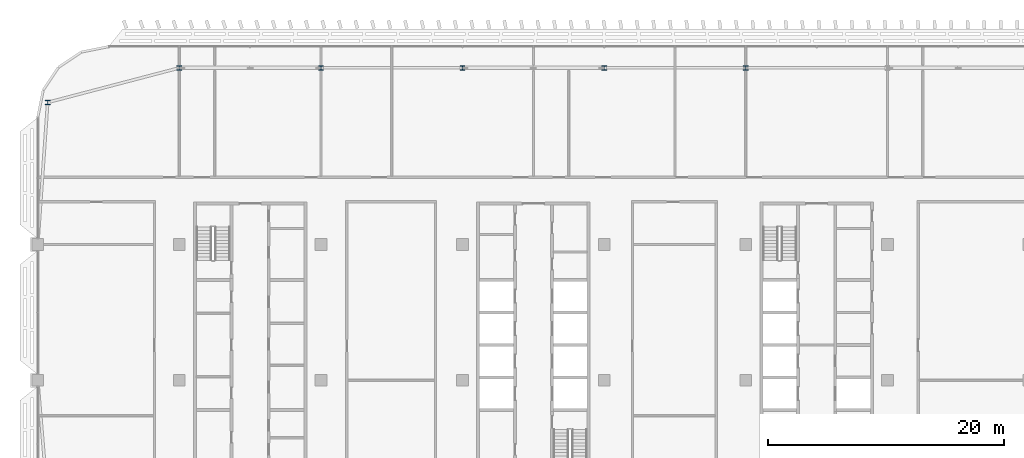
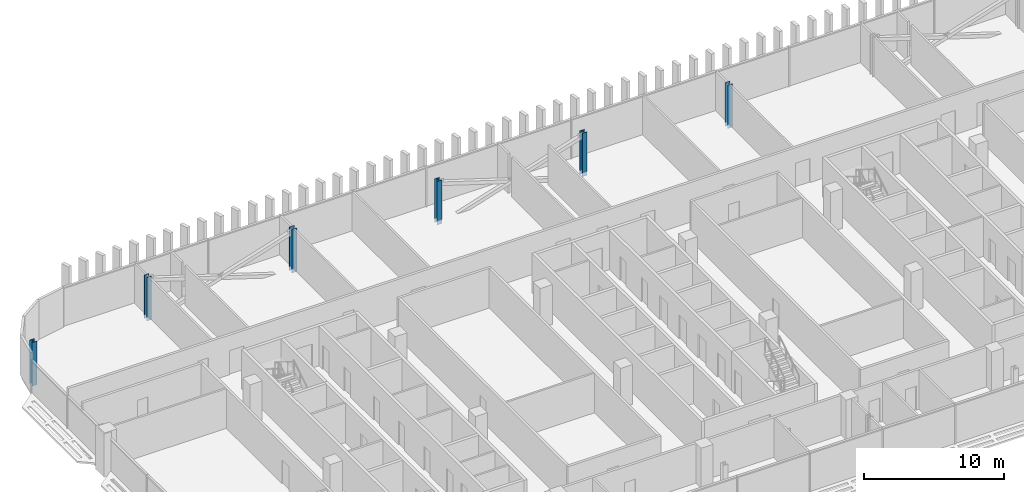
# One storey, part 3 of 32: 6 columns.
"""IFC4 building model written with IfcOpenShell, lengths in metres."""

from ifc_helpers import new_model, si_unit, direction, frame, origin, origin_2d, place, context, subcontext, project, spatial, i_section, extrude, material, material_profile, profile_set, type_object, element, save


model = new_model("IFC4")

# Units and contexts
model_context = context("Model", 3, precision=1e-05, world=origin(), true_north=direction((0.0, 1.0)))
body_context = subcontext(model_context, "Body", "Model", "MODEL_VIEW")
ifc_project = project(units=[si_unit("LENGTHUNIT", "METRE"), si_unit("AREAUNIT", "SQUARE_METRE"), si_unit("VOLUMEUNIT", "CUBIC_METRE"), si_unit("PLANEANGLEUNIT", "RADIAN"), si_unit("MASSUNIT", "GRAM", prefix="KILO")], contexts=[model_context])

# Site, building, storey
site_placement = place(None, origin())
site = spatial("IfcSite", under=ifc_project, at=site_placement, CompositionType="ELEMENT")
building_placement = place(site_placement, origin())
building = spatial("IfcBuilding", under=site, at=building_placement, Name="Mahtab Terrace Research Tower", CompositionType="ELEMENT")
storey_placement = place(building_placement, frame((0.0, 0.0, 236.199951171875)))
storey = spatial("IfcBuildingStorey", under=building, at=storey_placement, Name="L57", CompositionType="ELEMENT", Elevation=236.199951171875)

# Columns
ifc_material = material(Name="Steel ASTM A992 Gr 50", Category="steel")
ifc_material_profile = material_profile(ifc_material, i_section(OverallWidth=0.398681640625, OverallDepth=0.385986328125, WebThickness=0.02099609375, FlangeThickness=0.033203125, at=origin_2d()), Name="W14X176")
ifc_profile_set = profile_set([ifc_material_profile], Name="Steel ASTM A992 Gr 50")
column_type = type_object("IfcColumnType", Name="W14x176 column CS14176", PredefinedType="COLUMN", material=ifc_profile_set)
for number, where, z_axis, x_axis, name in (
    (1, (18.0, 26.472900390625, -0.33984375), (0.0, 0.0, 1.0), (1.0, 0.0, 0.0), "Column SC-055 L57"),
    (2, (6.0, 26.472900390625, -0.33984375), (0.0, 0.0, 1.0), (1.0, 0.0, 0.0), "Column SC-056 L57"),
    (3, (-6.0, 26.472900390625, -0.33984375), (0.0, 0.0, 1.0), (1.0, 0.0, 0.0), "Column SC-057 L57"),
    (4, (-18.0, 26.472900390625, -0.33984375), (0.0, 0.0, 1.0), (1.0, 0.0, 0.0), "Column SC-058 L57"),
    (5, (-30.0, 26.472900390625, -0.33984375), (0.0, 0.0, 1.0), (1.0, 0.0, 0.0), "Column SC-059 L57"),
    (6, (-41.154052734375, 23.5458984375, -0.33984375), (0.0, 0.0, 1.0), (1.0, 0.0, 0.0), "Column SC-060 L57"),
):
    element("IfcColumn", number, at=place(storey_placement, frame(where, z_axis=z_axis, x_axis=x_axis)), inside=storey, type_object=column_type, Name=name, PredefinedType="COLUMN", context=body_context, shape_type="SweptSolid", body=[
        extrude(i_section(OverallWidth=0.398681640625, OverallDepth=0.385986328125, WebThickness=0.02099609375, FlangeThickness=0.033203125, at=origin_2d()), origin(), (0.0, 0.0, 1.0), 3.7998046875),
    ])

save(model, "model.ifc")
